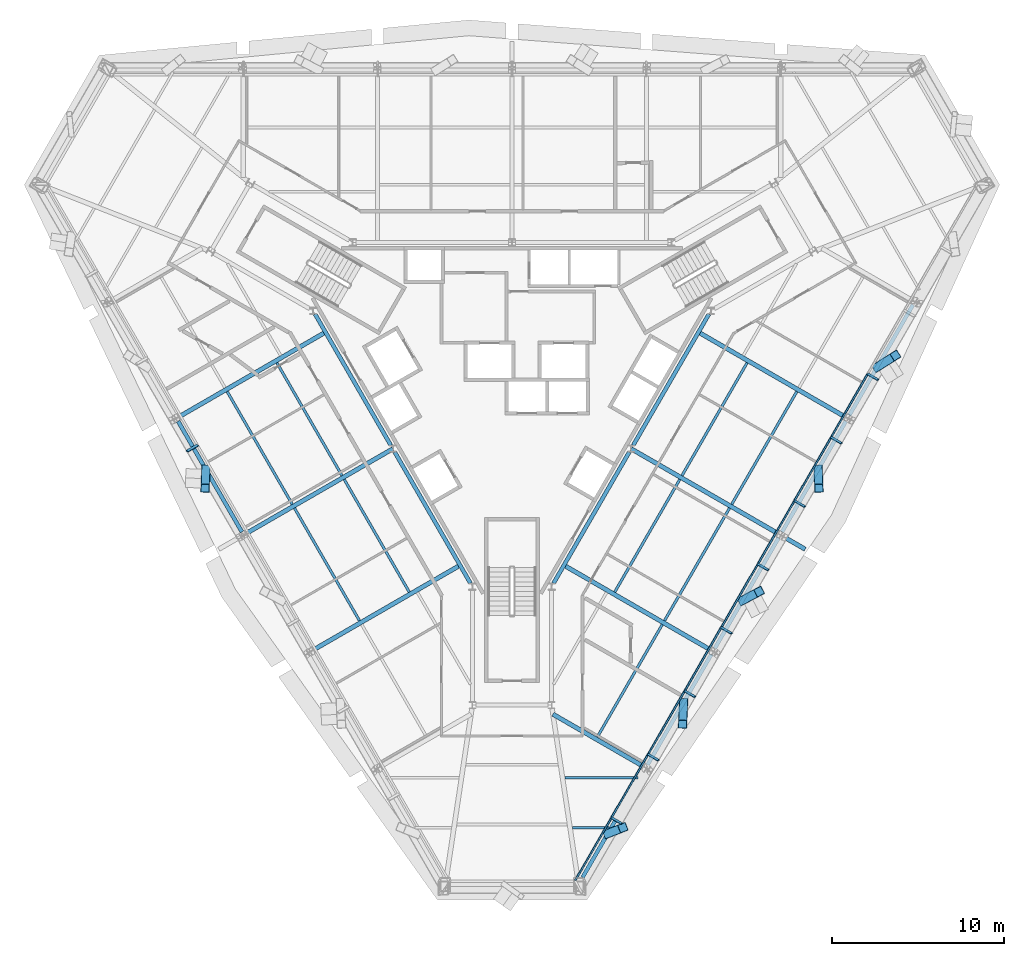
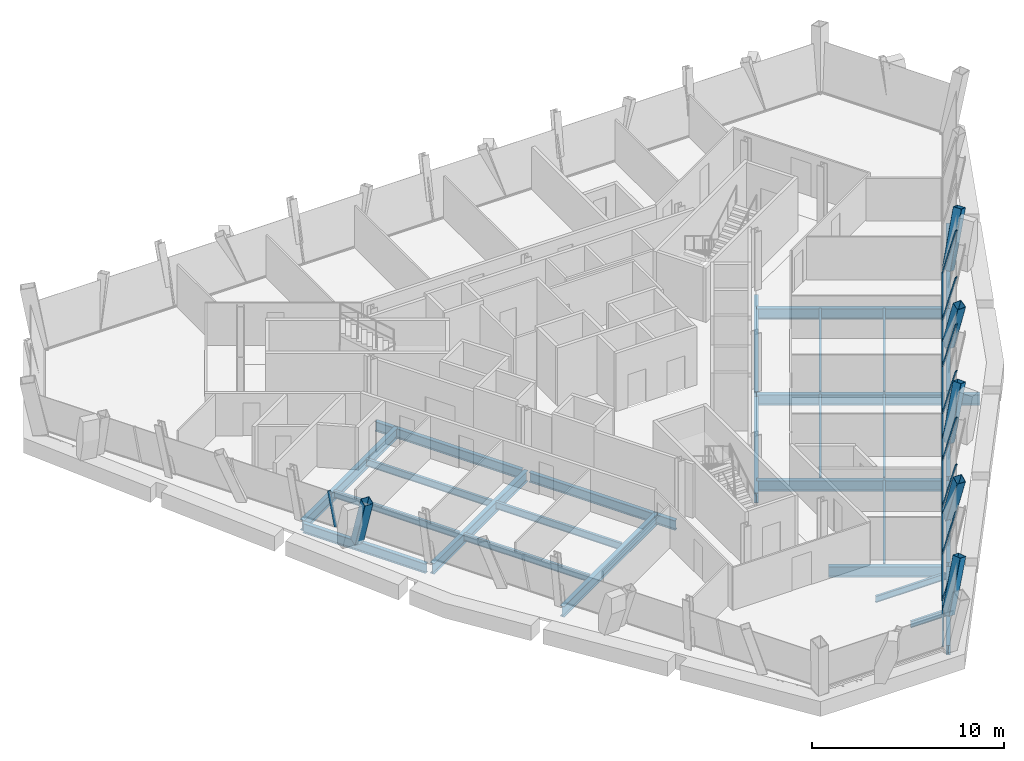
# One storey, part 3 of 12: 29 beams, 23 members, 2 elements without a shape of their own.
"""IFC4 building model written with IfcOpenShell, lengths in metres."""

from ifc_helpers import new_model, si_unit, direction, frame, origin, origin_2d, place, context, subcontext, project, spatial, rectangle, hollow_rectangle, i_section, extrude, material, material_profile, profile_set, type_object, element, aggregate, save


model = new_model("IFC4")

# Units and contexts
model_context = context("Model", 3, precision=1e-05, world=origin(), true_north=direction((0.0, 1.0)))
body_context = subcontext(model_context, "Body", "Model", "MODEL_VIEW")
ifc_project = project(units=[si_unit("LENGTHUNIT", "METRE"), si_unit("AREAUNIT", "SQUARE_METRE"), si_unit("VOLUMEUNIT", "CUBIC_METRE"), si_unit("PLANEANGLEUNIT", "RADIAN"), si_unit("MASSUNIT", "GRAM", prefix="KILO")], contexts=[model_context])

# Site, building, storey
site_placement = place(None, origin())
site = spatial("IfcSite", under=ifc_project, at=site_placement, CompositionType="ELEMENT")
building_placement = place(site_placement, origin())
building = spatial("IfcBuilding", under=site, at=building_placement, Name="Verrane Prism Tower", CompositionType="ELEMENT")
storey_placement = place(building_placement, frame((0.0, 0.0, 185.800048828125)))
storey = spatial("IfcBuildingStorey", under=building, at=storey_placement, Name="L46", CompositionType="ELEMENT", Elevation=185.800048828125)

# Beams
ifc_material_1 = material(Name="Steel A992", Category="steel")
ifc_material_profile_1 = material_profile(ifc_material_1, i_section(OverallWidth=0.23046875, OverallDepth=0.6171875, WebThickness=0.01318359375, FlangeThickness=0.022216796875, FilletRadius=0.012939453125, at=origin_2d()), Name="W24x94")
ifc_profile_set_1 = profile_set([ifc_material_profile_1], Name="Steel A992")
beam_type_1 = type_object("IfcBeamType", Name="Core ring girder W24x94", PredefinedType="BEAM", material=ifc_profile_set_1)
beam_1_placement = place(storey_placement, frame((-11.44482421875, 3.820556640625, -0.55859375), z_axis=(0.499967414725, -0.866044216084, 0.0), x_axis=(0.866044216084, 0.499967414725, 0.0)))
element("IfcBeam", 1, at=beam_1_placement, inside=storey, type_object=beam_type_1, Name="Core ring girder L46", PredefinedType="BEAM", context=body_context, shape_type="SweptSolid", body=[
    extrude(i_section(OverallWidth=0.23046875, OverallDepth=0.6171875, WebThickness=0.01318359375, FlangeThickness=0.022216796875, FilletRadius=0.012939453125, at=origin_2d()), origin(), (0.0, 0.0, 1.0), 8.7998046875),
])
for number, where, z_axis, x_axis, name in (
    (2, (-6.81494140625, -4.199462890625, -0.55859375), (0.499988222896, -0.866032203192, 0.0), (0.866032203192, 0.499988222896, 0.0), "Core ring girder L46"),
    (3, (2.4150390625, -11.820556640625, -0.55859375), (0.499988222896, 0.866032203192, 0.0), (-0.866032203192, 0.499988222896, 0.0), "Core ring girder L46"),
):
    element("IfcBeam", number, at=place(storey_placement, frame(where, z_axis=z_axis, x_axis=x_axis)), inside=storey, type_object=beam_type_1, Name=name, PredefinedType="BEAM", context=body_context, shape_type="SweptSolid", body=[
        extrude(i_section(OverallWidth=0.23046875, OverallDepth=0.6171875, WebThickness=0.01318359375, FlangeThickness=0.022216796875, FilletRadius=0.012939453125, at=origin_2d()), origin(), (0.0, 0.0, 1.0), 8.800048828125),
    ])
beam_2_placement = place(storey_placement, frame((7.045166015625, -3.800537109375, -0.55859375), z_axis=(0.499967414725, 0.866044216084, 0.0), x_axis=(-0.866044216084, 0.499967414725, 0.0)))
element("IfcBeam", 4, at=beam_2_placement, inside=storey, type_object=beam_type_1, Name="Core ring girder L46", PredefinedType="BEAM", context=body_context, shape_type="SweptSolid", body=[
    extrude(i_section(OverallWidth=0.23046875, OverallDepth=0.6171875, WebThickness=0.01318359375, FlangeThickness=0.022216796875, FilletRadius=0.012939453125, at=origin_2d()), origin(), (0.0, 0.0, 1.0), 8.7998046875),
])

# Members
ifc_material_2 = material(Name="Steel A500 Grade C", Category="steel")
ifc_material_profile_2 = material_profile(ifc_material_2, hollow_rectangle(XDim=0.508056640625, YDim=0.508056640625, WallThickness=0.01904296875, InnerFilletRadius=0.009521484375, OuterFilletRadius=0.028564453125, at=origin_2d()), Name="HSS20x20x3/4")
ifc_profile_set_2 = profile_set([ifc_material_profile_2], Name="Steel A500 Grade C")
member_type_1 = type_object("IfcMemberType", Name="Facade brace HSS20x20x3/4", PredefinedType="BRACE", material=ifc_profile_set_2)
member_1_placement = place(storey_placement, frame((-17.797607421875, -5.19921875, -0.216796875), z_axis=(-0.012066820194, -0.323997735031, 0.945980898087), x_axis=(0.999307180306, -0.037217729507, 0.0)))
element("IfcMember", 5, at=member_1_placement, inside=storey, type_object=member_type_1, Name="Facade brace SW2 L46", PredefinedType="BRACE", context=body_context, shape_type="SweptSolid", body=[
    extrude(hollow_rectangle(XDim=0.508056640625, YDim=0.508056640625, WallThickness=0.01904296875, InnerFilletRadius=0.009521484375, OuterFilletRadius=0.028564453125, at=origin_2d()), origin(), (0.0, 0.0, 1.0), 3.37890625),
])
member_2_placement = place(storey_placement, frame((5.574462890625, -26.36865234375, -0.216796875), z_axis=(0.261841301182, 0.102112243154, 0.959693817211), x_axis=(-0.363327165251, 0.931661618288, 0.0)))
element("IfcMember", 6, at=member_2_placement, inside=storey, type_object=member_type_1, Name="Facade brace SE0 L46", PredefinedType="BRACE", context=body_context, shape_type="SweptSolid", body=[
    extrude(hollow_rectangle(XDim=0.508056640625, YDim=0.508056640625, WallThickness=0.01904296875, InnerFilletRadius=0.009521484375, OuterFilletRadius=0.028564453125, at=origin_2d()), origin(), (0.0, 0.0, 1.0), 3.33056640625),
])
member_3_placement = place(storey_placement, frame((9.970458984375, -18.757568359375, -0.216796875), z_axis=(-0.015495351947, -0.365775601467, 0.930574071979), x_axis=(0.999103894049, -0.042325038652, 0.0)))
element("IfcMember", 7, at=member_3_placement, inside=storey, type_object=member_type_1, Name="Facade brace SE1 L46", PredefinedType="BRACE", context=body_context, shape_type="SweptSolid", body=[
    extrude(hollow_rectangle(XDim=0.508056640625, YDim=0.508056640625, WallThickness=0.01904296875, InnerFilletRadius=0.009521484375, OuterFilletRadius=0.028564453125, at=origin_2d()), origin(), (0.0, 0.0, 1.0), 3.434814453125),
])
member_4_placement = place(storey_placement, frame((13.402099609375, -12.8154296875, -0.216796875), z_axis=(0.285812757078, 0.150785384741, 0.946348157731), x_axis=(-0.466612817887, 0.884461688364, 0.0)))
element("IfcMember", 8, at=member_4_placement, inside=storey, type_object=member_type_1, Name="Facade brace SE2 L46", PredefinedType="BRACE", context=body_context, shape_type="SweptSolid", body=[
    extrude(hollow_rectangle(XDim=0.508056640625, YDim=0.508056640625, WallThickness=0.01904296875, InnerFilletRadius=0.009521484375, OuterFilletRadius=0.028564453125, at=origin_2d()), origin(), (0.0, 0.0, 1.0), 3.37744140625),
])
member_5_placement = place(storey_placement, frame((17.797607421875, -5.19921875, -0.216796875), z_axis=(0.012066820194, -0.323997735031, 0.945980898087), x_axis=(0.999307180306, 0.037217729507, 0.0)))
element("IfcMember", 9, at=member_5_placement, inside=storey, type_object=member_type_1, Name="Facade brace SE3 L46", PredefinedType="BRACE", context=body_context, shape_type="SweptSolid", body=[
    extrude(hollow_rectangle(XDim=0.508056640625, YDim=0.508056640625, WallThickness=0.01904296875, InnerFilletRadius=0.009521484375, OuterFilletRadius=0.028564453125, at=origin_2d()), origin(), (0.0, 0.0, 1.0), 3.37890625),
])
member_6_placement = place(storey_placement, frame((21.225341796875, 0.74755859375, -0.216796875), z_axis=(0.31057532923, 0.195468481059, 0.930233861879), x_axis=(-0.532659198661, 0.846329828189, 0.0)))
element("IfcMember", 10, at=member_6_placement, inside=storey, type_object=member_type_1, Name="Facade brace SE4 L46", PredefinedType="BRACE", context=body_context, shape_type="SweptSolid", body=[
    extrude(hollow_rectangle(XDim=0.508056640625, YDim=0.508056640625, WallThickness=0.01904296875, InnerFilletRadius=0.009521484375, OuterFilletRadius=0.028564453125, at=origin_2d()), origin(), (0.0, 0.0, 1.0), 3.43603515625),
])

# Beams
ifc_material_3 = material(Name="Steel A992", Category="steel")
ifc_material_profile_3 = material_profile(ifc_material_3, i_section(OverallWidth=0.140380859375, OverallDepth=0.40380859375, WebThickness=0.007080078125, FlangeThickness=0.01123046875, FilletRadius=0.01025390625, at=origin_2d()), Name="W16x31")
ifc_profile_set_3 = profile_set([ifc_material_profile_3], Name="Steel A992")
beam_type_2 = type_object("IfcBeamType", Name="Floor beam W16x31", PredefinedType="BEAM", material=ifc_profile_set_3)
beam_3_placement = place(storey_placement, frame((3.50830078125, -26.023193359375, -0.362060546875), z_axis=(1.0, 0.0, 0.0), x_axis=(0.0, 1.0, 0.0)))
element("IfcBeam", 11, at=beam_3_placement, inside=storey, type_object=beam_type_2, Name="Floor beam L46", PredefinedType="BEAM", context=body_context, shape_type="SweptSolid", body=[
    extrude(i_section(OverallWidth=0.140380859375, OverallDepth=0.40380859375, WebThickness=0.007080078125, FlangeThickness=0.01123046875, FilletRadius=0.01025390625, at=origin_2d()), origin(), (0.0, 0.0, 1.0), 2.1328125),
])
beam_4_placement = place(storey_placement, frame((3.072021484375, -23.126708984375, -0.362060546875), z_axis=(1.0, 0.0, 0.0), x_axis=(0.0, 1.0, 0.0)))
element("IfcBeam", 12, at=beam_4_placement, inside=storey, type_object=beam_type_2, Name="Floor beam L46", PredefinedType="BEAM", context=body_context, shape_type="SweptSolid", body=[
    extrude(i_section(OverallWidth=0.140380859375, OverallDepth=0.40380859375, WebThickness=0.007080078125, FlangeThickness=0.01123046875, FilletRadius=0.01025390625, at=origin_2d()), origin(), (0.0, 0.0, 1.0), 4.2421875),
])
ifc_material_4 = material(Name="Steel A992", Category="steel")
ifc_material_profile_4 = material_profile(ifc_material_4, i_section(OverallWidth=0.15234375, OverallDepth=0.449462890625, WebThickness=0.007568359375, FlangeThickness=0.0107421875, FilletRadius=0.01025390625, at=origin_2d()), Name="W18x35")
ifc_profile_set_4 = profile_set([ifc_material_profile_4], Name="Steel A992")
beam_type_3 = type_object("IfcBeamType", Name="Floor beam W18x35", PredefinedType="BEAM", material=ifc_profile_set_4)
beam_5_placement = place(storey_placement, frame((-9.883544921875, -5.56005859375, -0.384765625), z_axis=(-0.499994291072, 0.86602869981, 0.0), x_axis=(-0.86602869981, -0.499994291072, 0.0)))
element("IfcBeam", 13, at=beam_5_placement, inside=storey, type_object=beam_type_3, Name="Floor beam L46", PredefinedType="BEAM", context=body_context, shape_type="SweptSolid", body=[
    extrude(i_section(OverallWidth=0.15234375, OverallDepth=0.449462890625, WebThickness=0.007568359375, FlangeThickness=0.0107421875, FilletRadius=0.01025390625, at=origin_2d()), origin(), (0.0, 0.0, 1.0), 7.56689453125),
])
beam_6_placement = place(storey_placement, frame((-12.7734375, -7.22998046875, -0.384765625), z_axis=(-0.499999771941, 0.866025535455, 0.0), x_axis=(-0.866025535455, -0.499999771941, 0.0)))
element("IfcBeam", 14, at=beam_6_placement, inside=storey, type_object=beam_type_3, Name="Floor beam L46", PredefinedType="BEAM", context=body_context, shape_type="SweptSolid", body=[
    extrude(i_section(OverallWidth=0.15234375, OverallDepth=0.449462890625, WebThickness=0.007568359375, FlangeThickness=0.0107421875, FilletRadius=0.01025390625, at=origin_2d()), origin(), (0.0, 0.0, 1.0), 7.56982421875),
])
beam_7_placement = place(storey_placement, frame((-5.973876953125, -12.330078125, -0.384765625), z_axis=(-0.500002782129, 0.866023797515, 0.0), x_axis=(-0.866023797515, -0.500002782129, 0.0)))
element("IfcBeam", 15, at=beam_7_placement, inside=storey, type_object=beam_type_3, Name="Floor beam L46", PredefinedType="BEAM", context=body_context, shape_type="SweptSolid", body=[
    extrude(i_section(OverallWidth=0.15234375, OverallDepth=0.449462890625, WebThickness=0.007568359375, FlangeThickness=0.0107421875, FilletRadius=0.01025390625, at=origin_2d()), origin(), (0.0, 0.0, 1.0), 7.56396484375),
])
for number, where, z_axis, x_axis, name in (
    (16, (-8.8642578125, -14.00048828125, -0.384765625), (-0.499988806058, 0.866031866513, 0.0), (-0.866031866513, -0.499988806058, 0.0), "Floor beam L46"),
    (17, (4.954345703125, -20.770751953125, -0.384765625), (0.500013012896, 0.866017890655, 0.0), (-0.866017890655, 0.500013012896, 0.0), "Floor beam L46"),
    (18, (8.8642578125, -14.00048828125, -0.384765625), (0.499988806058, 0.866031866513, 0.0), (-0.866031866513, 0.499988806058, 0.0), "Floor beam L46"),
):
    element("IfcBeam", number, at=place(storey_placement, frame(where, z_axis=z_axis, x_axis=x_axis)), inside=storey, type_object=beam_type_3, Name=name, PredefinedType="BEAM", context=body_context, shape_type="SweptSolid", body=[
        extrude(i_section(OverallWidth=0.15234375, OverallDepth=0.449462890625, WebThickness=0.007568359375, FlangeThickness=0.0107421875, FilletRadius=0.01025390625, at=origin_2d()), origin(), (0.0, 0.0, 1.0), 7.564208984375),
    ])
beam_8_placement = place(storey_placement, frame((5.973876953125, -12.330078125, -0.384765625), z_axis=(0.500002782129, 0.866023797515, 0.0), x_axis=(-0.866023797515, 0.500002782129, 0.0)))
element("IfcBeam", 19, at=beam_8_placement, inside=storey, type_object=beam_type_3, Name="Floor beam L46", PredefinedType="BEAM", context=body_context, shape_type="SweptSolid", body=[
    extrude(i_section(OverallWidth=0.15234375, OverallDepth=0.449462890625, WebThickness=0.007568359375, FlangeThickness=0.0107421875, FilletRadius=0.01025390625, at=origin_2d()), origin(), (0.0, 0.0, 1.0), 7.56396484375),
])
beam_9_placement = place(storey_placement, frame((12.7734375, -7.22998046875, -0.384765625), z_axis=(0.499999771941, 0.866025535455, 0.0), x_axis=(-0.866025535455, 0.499999771941, 0.0)))
element("IfcBeam", 20, at=beam_9_placement, inside=storey, type_object=beam_type_3, Name="Floor beam L46", PredefinedType="BEAM", context=body_context, shape_type="SweptSolid", body=[
    extrude(i_section(OverallWidth=0.15234375, OverallDepth=0.449462890625, WebThickness=0.007568359375, FlangeThickness=0.0107421875, FilletRadius=0.01025390625, at=origin_2d()), origin(), (0.0, 0.0, 1.0), 7.56982421875),
])
beam_10_placement = place(storey_placement, frame((9.883544921875, -5.56005859375, -0.384765625), z_axis=(0.499994291072, 0.86602869981, 0.0), x_axis=(-0.86602869981, 0.499994291072, 0.0)))
element("IfcBeam", 21, at=beam_10_placement, inside=storey, type_object=beam_type_3, Name="Floor beam L46", PredefinedType="BEAM", context=body_context, shape_type="SweptSolid", body=[
    extrude(i_section(OverallWidth=0.15234375, OverallDepth=0.449462890625, WebThickness=0.007568359375, FlangeThickness=0.0107421875, FilletRadius=0.01025390625, at=origin_2d()), origin(), (0.0, 0.0, 1.0), 7.56689453125),
])

# Curtain wall, members
ifc_material_5 = material(Name="Aluminium framed insulated glazing", Category="aluminium")
curtain_wall_type_1 = type_object("IfcCurtainWallType", Name="Curtain wall CW-C 4200 module", PredefinedType="NOTDEFINED", material=ifc_material_5)
curtain_wall_1_placement = place(storey_placement, origin())
curtain_wall_1 = element("IfcCurtainWall", 22, at=curtain_wall_1_placement, inside=storey, type_object=curtain_wall_type_1, Name="Glazed curtain wall south-east face L46", PredefinedType="NOTDEFINED")
ifc_material_6 = material(Name="Aluminium alloy 6063-T6", Category="aluminium")
ifc_material_profile_5 = material_profile(ifc_material_6, rectangle(XDim=0.139892578125, YDim=0.050048828125, at=origin_2d()), Name="Mullion 50x140 aluminium")
ifc_profile_set_5 = profile_set([ifc_material_profile_5], Name="Aluminium alloy 6063-T6")
member_type_2 = type_object("IfcMemberType", Name="Mullion 50x140 aluminium", PredefinedType="MULLION", material=ifc_profile_set_5)
member_7_placement = place(storey_placement, frame((5.779296875, -25.451904296875, 0.0), z_axis=(0.216364904862, -0.124956614407, 0.968283053895), x_axis=(-0.852358631448, -0.507816716186, 0.124927763758)))
member_7 = element("IfcMember", 23, at=member_7_placement, type_object=member_type_2, Name="CW44.6 mullion 2", PredefinedType="MULLION", context=body_context, shape_type="SweptSolid", body=[
    extrude(rectangle(XDim=0.139892578125, YDim=0.050048828125, at=origin_2d()), origin(), (0.0, 0.0, 1.0), 2.8017578125),
])
member_8_placement = place(storey_placement, frame((7.907470703125, -21.76611328125, 0.0), z_axis=(0.216367259975, -0.124870835096, 0.968293593572), x_axis=(-0.852209765519, -0.50807152263, 0.12490733944)))
member_8 = element("IfcMember", 24, at=member_8_placement, type_object=member_type_2, Name="CW44.6 mullion 3", PredefinedType="MULLION", context=body_context, shape_type="SweptSolid", body=[
    extrude(rectangle(XDim=0.139892578125, YDim=0.050048828125, at=origin_2d()), origin(), (0.0, 0.0, 1.0), 2.8017578125),
])
member_9_placement = place(storey_placement, frame((10.035400390625, -18.080078125, 0.0), z_axis=(0.216364904862, -0.124956614407, 0.968283053895), x_axis=(-0.852358631448, -0.507816716186, 0.124927763758)))
member_9 = element("IfcMember", 25, at=member_9_placement, type_object=member_type_2, Name="CW44.6 mullion 4", PredefinedType="MULLION", context=body_context, shape_type="SweptSolid", body=[
    extrude(rectangle(XDim=0.139892578125, YDim=0.050048828125, at=origin_2d()), origin(), (0.0, 0.0, 1.0), 2.8017578125),
])
member_10_placement = place(storey_placement, frame((12.163330078125, -14.394287109375, 0.0), z_axis=(0.216447961734, -0.124954258103, 0.968264795004), x_axis=(-0.852262166522, -0.507969894357, 0.124963138331)))
member_10 = element("IfcMember", 26, at=member_10_placement, type_object=member_type_2, Name="CW44.6 mullion 5", PredefinedType="MULLION", context=body_context, shape_type="SweptSolid", body=[
    extrude(rectangle(XDim=0.139892578125, YDim=0.050048828125, at=origin_2d()), origin(), (0.0, 0.0, 1.0), 2.8017578125),
])
member_11_placement = place(storey_placement, frame((14.29150390625, -10.70849609375, 0.0), z_axis=(0.216367259975, -0.124870835096, 0.968293593572), x_axis=(-0.852209765519, -0.50807152263, 0.12490733944)))
member_11 = element("IfcMember", 27, at=member_11_placement, type_object=member_type_2, Name="CW44.6 mullion 6", PredefinedType="MULLION", context=body_context, shape_type="SweptSolid", body=[
    extrude(rectangle(XDim=0.139892578125, YDim=0.050048828125, at=origin_2d()), origin(), (0.0, 0.0, 1.0), 2.8017578125),
])
member_12_placement = place(storey_placement, frame((16.41943359375, -7.0224609375, 0.0), z_axis=(0.216447961734, -0.124954258103, 0.968264795004), x_axis=(-0.852262166522, -0.507969894357, 0.124963138331)))
member_12 = element("IfcMember", 28, at=member_12_placement, type_object=member_type_2, Name="CW44.6 mullion 7", PredefinedType="MULLION", context=body_context, shape_type="SweptSolid", body=[
    extrude(rectangle(XDim=0.139892578125, YDim=0.050048828125, at=origin_2d()), origin(), (0.0, 0.0, 1.0), 2.8017578125),
])
member_13_placement = place(storey_placement, frame((18.547607421875, -3.336669921875, 0.0), z_axis=(0.216364904862, -0.124956614407, 0.968283053895), x_axis=(-0.852358631448, -0.507816716186, 0.124927763758)))
member_13 = element("IfcMember", 29, at=member_13_placement, type_object=member_type_2, Name="CW44.6 mullion 8", PredefinedType="MULLION", context=body_context, shape_type="SweptSolid", body=[
    extrude(rectangle(XDim=0.139892578125, YDim=0.050048828125, at=origin_2d()), origin(), (0.0, 0.0, 1.0), 2.8017578125),
])
member_14_placement = place(storey_placement, frame((20.675537109375, 0.34912109375, 0.0), z_axis=(0.216367259975, -0.124870835096, 0.968293593572), x_axis=(-0.852209765519, -0.50807152263, 0.12490733944)))
member_14 = element("IfcMember", 30, at=member_14_placement, type_object=member_type_2, Name="CW44.6 mullion 9", PredefinedType="MULLION", context=body_context, shape_type="SweptSolid", body=[
    extrude(rectangle(XDim=0.139892578125, YDim=0.050048828125, at=origin_2d()), origin(), (0.0, 0.0, 1.0), 2.8017578125),
])

# Curtain wall, member
ifc_material_7 = material(Name="Aluminium framed insulated glazing", Category="aluminium")
curtain_wall_type_2 = type_object("IfcCurtainWallType", Name="Curtain wall CW-B 5600 module", PredefinedType="NOTDEFINED", material=ifc_material_7)
curtain_wall_2_placement = place(storey_placement, origin())
curtain_wall_2 = element("IfcCurtainWall", 31, at=curtain_wall_2_placement, inside=storey, type_object=curtain_wall_type_2, Name="Glazed curtain wall south-west face L46", PredefinedType="NOTDEFINED")
ifc_material_8 = material(Name="Aluminium alloy 6063-T6", Category="aluminium")
ifc_material_profile_6 = material_profile(ifc_material_8, rectangle(XDim=0.159912109375, YDim=0.06005859375, at=origin_2d()), Name="Mullion 60x160 aluminium")
ifc_profile_set_6 = profile_set([ifc_material_profile_6], Name="Aluminium alloy 6063-T6")
member_type_3 = type_object("IfcMemberType", Name="Mullion 60x160 aluminium", PredefinedType="MULLION", material=ifc_profile_set_6)
member_15_placement = place(storey_placement, frame((-18.281494140625, -3.79736328125, 0.0), z_axis=(-0.216364904862, -0.124956614407, 0.968283053895), x_axis=(0.852358631448, -0.507816716186, 0.124927763758)))
member_15 = element("IfcMember", 32, at=member_15_placement, type_object=member_type_3, Name="CW44.4 mullion 4", PredefinedType="MULLION", context=body_context, shape_type="SweptSolid", body=[
    extrude(rectangle(XDim=0.159912109375, YDim=0.06005859375, at=origin_2d()), origin(), (0.0, 0.0, 1.0), 2.8017578125),
])
aggregate(curtain_wall_2, [member_15])

# Beams
ifc_material_9 = material(Name="Steel A992", Category="steel")
ifc_material_profile_7 = material_profile(ifc_material_9, i_section(OverallWidth=0.25390625, OverallDepth=0.683349609375, WebThickness=0.012451171875, FlangeThickness=0.01904296875, FilletRadius=0.01513671875, at=origin_2d()), Name="W27x94")
ifc_profile_set_7 = profile_set([ifc_material_profile_7], Name="Steel A992")
beam_type_4 = type_object("IfcBeamType", Name="Radial girder W27x94", PredefinedType="BEAM", material=ifc_profile_set_7)
beam_11_placement = place(storey_placement, frame((-19.32958984375, -2.1259765625, -0.561767578125), z_axis=(0.866018006425, 0.500012812384, 0.0), x_axis=(-0.500012812384, 0.866018006425, 0.0)))
element("IfcBeam", 33, at=beam_11_placement, inside=storey, type_object=beam_type_4, Name="Radial girder L46", PredefinedType="BEAM", context=body_context, shape_type="SweptSolid", body=[
    extrude(i_section(OverallWidth=0.25390625, OverallDepth=0.683349609375, WebThickness=0.012451171875, FlangeThickness=0.01904296875, FilletRadius=0.01513671875, at=origin_2d()), origin(), (0.0, 0.0, 1.0), 9.801513671875),
])
beam_12_placement = place(storey_placement, frame((-15.419677734375, -8.906005859375, -0.561767578125), z_axis=(0.866029684684, 0.499992585192, 0.0), x_axis=(-0.499992585192, 0.866029684684, 0.0)))
element("IfcBeam", 34, at=beam_12_placement, inside=storey, type_object=beam_type_4, Name="Radial girder L46", PredefinedType="BEAM", context=body_context, shape_type="SweptSolid", body=[
    extrude(i_section(OverallWidth=0.25390625, OverallDepth=0.683349609375, WebThickness=0.012451171875, FlangeThickness=0.01904296875, FilletRadius=0.01513671875, at=origin_2d()), origin(), (0.0, 0.0, 1.0), 9.805419921875),
])
beam_13_placement = place(storey_placement, frame((-11.509521484375, -15.67578125, -0.561767578125), z_axis=(0.866024680886, 0.500001252094, 0.0), x_axis=(-0.500001252094, 0.866024680886, 0.0)))
element("IfcBeam", 35, at=beam_13_placement, inside=storey, type_object=beam_type_4, Name="Radial girder L46", PredefinedType="BEAM", context=body_context, shape_type="SweptSolid", body=[
    extrude(i_section(OverallWidth=0.25390625, OverallDepth=0.683349609375, WebThickness=0.012451171875, FlangeThickness=0.01904296875, FilletRadius=0.01513671875, at=origin_2d()), origin(), (0.0, 0.0, 1.0), 9.8037109375),
])
beam_14_placement = place(storey_placement, frame((7.599609375, -22.44580078125, -0.561767578125), z_axis=(-0.866028410322, 0.499994792488, 0.0), x_axis=(-0.499994792488, -0.866028410322, 0.0)))
element("IfcBeam", 36, at=beam_14_placement, inside=storey, type_object=beam_type_4, Name="Radial girder L46", PredefinedType="BEAM", context=body_context, shape_type="SweptSolid", body=[
    extrude(i_section(OverallWidth=0.25390625, OverallDepth=0.683349609375, WebThickness=0.012451171875, FlangeThickness=0.01904296875, FilletRadius=0.01513671875, at=origin_2d()), origin(), (0.0, 0.0, 1.0), 6.02685546875),
])
beam_15_placement = place(storey_placement, frame((11.509521484375, -15.67578125, -0.561767578125), z_axis=(-0.866024680886, 0.500001252094, 0.0), x_axis=(-0.500001252094, -0.866024680886, 0.0)))
element("IfcBeam", 37, at=beam_15_placement, inside=storey, type_object=beam_type_4, Name="Radial girder L46", PredefinedType="BEAM", context=body_context, shape_type="SweptSolid", body=[
    extrude(i_section(OverallWidth=0.25390625, OverallDepth=0.683349609375, WebThickness=0.012451171875, FlangeThickness=0.01904296875, FilletRadius=0.01513671875, at=origin_2d()), origin(), (0.0, 0.0, 1.0), 9.8037109375),
])
beam_16_placement = place(storey_placement, frame((15.419677734375, -8.906005859375, -0.561767578125), z_axis=(-0.866029684684, 0.499992585192, 0.0), x_axis=(-0.499992585192, -0.866029684684, 0.0)))
element("IfcBeam", 38, at=beam_16_placement, inside=storey, type_object=beam_type_4, Name="Radial girder L46", PredefinedType="BEAM", context=body_context, shape_type="SweptSolid", body=[
    extrude(i_section(OverallWidth=0.25390625, OverallDepth=0.683349609375, WebThickness=0.012451171875, FlangeThickness=0.01904296875, FilletRadius=0.01513671875, at=origin_2d()), origin(), (0.0, 0.0, 1.0), 9.805419921875),
])
beam_17_placement = place(storey_placement, frame((19.32958984375, -2.1259765625, -0.561767578125), z_axis=(-0.866018006425, 0.500012812384, 0.0), x_axis=(-0.500012812384, -0.866018006425, 0.0)))
element("IfcBeam", 39, at=beam_17_placement, inside=storey, type_object=beam_type_4, Name="Radial girder L46", PredefinedType="BEAM", context=body_context, shape_type="SweptSolid", body=[
    extrude(i_section(OverallWidth=0.25390625, OverallDepth=0.683349609375, WebThickness=0.012451171875, FlangeThickness=0.01904296875, FilletRadius=0.01513671875, at=origin_2d()), origin(), (0.0, 0.0, 1.0), 9.801513671875),
])
beam_18_placement = place(storey_placement, frame((15.77685546875, -9.112060546875, -0.561767578125), z_axis=(0.865974312977, -0.500088481434, 0.0), x_axis=(0.500088481434, 0.865974312977, 0.0)))
element("IfcBeam", 40, at=beam_18_placement, inside=storey, type_object=beam_type_4, Name="Cantilever girder L46", PredefinedType="BEAM", context=body_context, shape_type="SweptSolid", body=[
    extrude(i_section(OverallWidth=0.25390625, OverallDepth=0.683349609375, WebThickness=0.012451171875, FlangeThickness=0.01904296875, FilletRadius=0.01513671875, at=origin_2d()), origin(), (0.0, 0.0, 1.0), 1.462646484375),
])
ifc_material_10 = material(Name="Steel A992", Category="steel")
ifc_material_profile_8 = material_profile(ifc_material_10, i_section(OverallWidth=0.23046875, OverallDepth=0.6171875, WebThickness=0.01318359375, FlangeThickness=0.022216796875, FilletRadius=0.012939453125, at=origin_2d()), Name="W24x94")
ifc_profile_set_8 = profile_set([ifc_material_profile_8], Name="Steel A992")
beam_type_5 = type_object("IfcBeamType", Name="Spandrel beam W24x94", PredefinedType="SPANDREL", material=ifc_profile_set_8)
beam_19_placement = place(storey_placement, frame((-19.408447265625, -2.406005859375, -0.46875), z_axis=(0.499579081508, -0.86626828484, 0.0), x_axis=(0.86626828484, 0.499579081508, 0.0)))
element("IfcBeam", 41, at=beam_19_placement, inside=storey, type_object=beam_type_5, Name="Spandrel beam L46", PredefinedType="SPANDREL", context=body_context, shape_type="SweptSolid", body=[
    extrude(i_section(OverallWidth=0.23046875, OverallDepth=0.6171875, WebThickness=0.01318359375, FlangeThickness=0.022216796875, FilletRadius=0.012939453125, at=origin_2d()), origin(), (0.0, 0.0, 1.0), 7.42041015625),
])
beam_20_placement = place(storey_placement, frame((4.10107421875, -28.919921875, -0.46875), z_axis=(0.50014395567, 0.865942274985, 0.0), x_axis=(-0.865942274985, 0.50014395567, 0.0)))
element("IfcBeam", 42, at=beam_20_placement, inside=storey, type_object=beam_type_5, Name="Spandrel beam L46", PredefinedType="SPANDREL", context=body_context, shape_type="SweptSolid", body=[
    extrude(i_section(OverallWidth=0.23046875, OverallDepth=0.6171875, WebThickness=0.01318359375, FlangeThickness=0.022216796875, FilletRadius=0.012939453125, at=origin_2d()), origin(), (0.0, 0.0, 1.0), 7.15283203125),
])
for number, where, z_axis, x_axis, name in (
    (43, (7.881591796875, -22.3740234375, -0.46875), (0.50013874289, 0.86594528572, 0.0), (-0.86594528572, 0.50013874289, 0.0), "Spandrel beam L46"),
    (44, (11.79150390625, -15.60400390625, -0.46875), (0.50013874289, 0.86594528572, 0.0), (-0.86594528572, 0.50013874289, 0.0), "Spandrel beam L46"),
):
    element("IfcBeam", number, at=place(storey_placement, frame(where, z_axis=z_axis, x_axis=x_axis)), inside=storey, type_object=beam_type_5, Name=name, PredefinedType="SPANDREL", context=body_context, shape_type="SweptSolid", body=[
        extrude(i_section(OverallWidth=0.23046875, OverallDepth=0.6171875, WebThickness=0.01318359375, FlangeThickness=0.022216796875, FilletRadius=0.012939453125, at=origin_2d()), origin(), (0.0, 0.0, 1.0), 7.41162109375),
    ])
beam_21_placement = place(storey_placement, frame((15.701416015625, -8.833984375, -0.46875), z_axis=(0.499579081508, 0.86626828484, 0.0), x_axis=(-0.86626828484, 0.499579081508, 0.0)))
element("IfcBeam", 45, at=beam_21_placement, inside=storey, type_object=beam_type_5, Name="Spandrel beam L46", PredefinedType="SPANDREL", context=body_context, shape_type="SweptSolid", body=[
    extrude(i_section(OverallWidth=0.23046875, OverallDepth=0.6171875, WebThickness=0.01318359375, FlangeThickness=0.022216796875, FilletRadius=0.012939453125, at=origin_2d()), origin(), (0.0, 0.0, 1.0), 7.42041015625),
])
beam_22_placement = place(storey_placement, frame((19.611328125, -2.053955078125, -0.46875), z_axis=(0.499174476851, 0.866501495475, 0.0), x_axis=(-0.866501495475, 0.499174476851, 0.0)))
element("IfcBeam", 46, at=beam_22_placement, inside=storey, type_object=beam_type_5, Name="Spandrel beam L46", PredefinedType="SPANDREL", context=body_context, shape_type="SweptSolid", body=[
    extrude(i_section(OverallWidth=0.23046875, OverallDepth=0.6171875, WebThickness=0.01318359375, FlangeThickness=0.022216796875, FilletRadius=0.012939453125, at=origin_2d()), origin(), (0.0, 0.0, 1.0), 7.40673828125),
])

# Member
ifc_material_11 = material(Name="Aluminium alloy 6063-T6", Category="aluminium")
ifc_material_profile_9 = material_profile(ifc_material_11, rectangle(XDim=0.10009765625, YDim=0.050048828125, at=origin_2d()), Name="Transom 50x100 aluminium")
ifc_profile_set_9 = profile_set([ifc_material_profile_9], Name="Aluminium alloy 6063-T6")
member_type_4 = type_object("IfcMemberType", Name="Transom 50x100 aluminium", PredefinedType="USERDEFINED", material=ifc_profile_set_9)
member_16_placement = place(storey_placement, frame((3.67626953125, -29.094482421875, 0.02490234375), z_axis=(0.500013933422, 0.86601735917, 0.0), x_axis=(-0.86601735917, 0.500013933422, 0.0)))
member_16 = element("IfcMember", 47, at=member_16_placement, type_object=member_type_4, Name="CW44.6 transom 1", ObjectType="TRANSOM", PredefinedType="USERDEFINED", context=body_context, shape_type="SweptSolid", body=[
    extrude(rectangle(XDim=0.10009765625, YDim=0.050048828125, at=origin_2d()), origin(), (0.0, 0.0, 1.0), 4.18115234375),
])

member_17_placement = place(storey_placement, frame((5.791748046875, -25.43017578125, 0.02490234375), z_axis=(0.499997126074, 0.86602706304, 0.0), x_axis=(-0.86602706304, 0.499997126074, 0.0)))
member_17 = element("IfcMember", 48, at=member_17_placement, type_object=member_type_4, Name="CW44.6 transom 2", ObjectType="TRANSOM", PredefinedType="USERDEFINED", context=body_context, shape_type="SweptSolid", body=[
    extrude(rectangle(XDim=0.10009765625, YDim=0.050048828125, at=origin_2d()), origin(), (0.0, 0.0, 1.0), 4.2060546875),
])

member_18_placement = place(storey_placement, frame((7.919921875, -21.744384765625, 0.02490234375), z_axis=(0.499997126074, 0.86602706304, 0.0), x_axis=(-0.86602706304, 0.499997126074, 0.0)))
member_18 = element("IfcMember", 49, at=member_18_placement, type_object=member_type_4, Name="CW44.6 transom 3", ObjectType="TRANSOM", PredefinedType="USERDEFINED", context=body_context, shape_type="SweptSolid", body=[
    extrude(rectangle(XDim=0.10009765625, YDim=0.050048828125, at=origin_2d()), origin(), (0.0, 0.0, 1.0), 4.2060546875),
])

member_19_placement = place(storey_placement, frame((10.0478515625, -18.05859375, 0.02490234375), z_axis=(0.499997126074, 0.86602706304, 0.0), x_axis=(-0.86602706304, 0.499997126074, 0.0)))
member_19 = element("IfcMember", 50, at=member_19_placement, type_object=member_type_4, Name="CW44.6 transom 4", ObjectType="TRANSOM", PredefinedType="USERDEFINED", context=body_context, shape_type="SweptSolid", body=[
    extrude(rectangle(XDim=0.10009765625, YDim=0.050048828125, at=origin_2d()), origin(), (0.0, 0.0, 1.0), 4.2060546875),
])

member_20_placement = place(storey_placement, frame((12.176025390625, -14.37255859375, 0.02490234375), z_axis=(0.499997126074, 0.86602706304, 0.0), x_axis=(-0.86602706304, 0.499997126074, 0.0)))
member_20 = element("IfcMember", 51, at=member_20_placement, type_object=member_type_4, Name="CW44.6 transom 5", ObjectType="TRANSOM", PredefinedType="USERDEFINED", context=body_context, shape_type="SweptSolid", body=[
    extrude(rectangle(XDim=0.10009765625, YDim=0.050048828125, at=origin_2d()), origin(), (0.0, 0.0, 1.0), 4.2060546875),
])

member_21_placement = place(storey_placement, frame((14.303955078125, -10.686767578125, 0.02490234375), z_axis=(0.499997126074, 0.86602706304, 0.0), x_axis=(-0.86602706304, 0.499997126074, 0.0)))
member_21 = element("IfcMember", 52, at=member_21_placement, type_object=member_type_4, Name="CW44.6 transom 6", ObjectType="TRANSOM", PredefinedType="USERDEFINED", context=body_context, shape_type="SweptSolid", body=[
    extrude(rectangle(XDim=0.10009765625, YDim=0.050048828125, at=origin_2d()), origin(), (0.0, 0.0, 1.0), 4.2060546875),
])

member_22_placement = place(storey_placement, frame((16.43212890625, -7.0009765625, 0.02490234375), z_axis=(0.499997126074, 0.86602706304, 0.0), x_axis=(-0.86602706304, 0.499997126074, 0.0)))
member_22 = element("IfcMember", 53, at=member_22_placement, type_object=member_type_4, Name="CW44.6 transom 7", ObjectType="TRANSOM", PredefinedType="USERDEFINED", context=body_context, shape_type="SweptSolid", body=[
    extrude(rectangle(XDim=0.10009765625, YDim=0.050048828125, at=origin_2d()), origin(), (0.0, 0.0, 1.0), 4.2060546875),
])

member_23_placement = place(storey_placement, frame((18.56005859375, -3.31494140625, 0.02490234375), z_axis=(0.499997126074, 0.86602706304, 0.0), x_axis=(-0.86602706304, 0.499997126074, 0.0)))
member_23 = element("IfcMember", 54, at=member_23_placement, type_object=member_type_4, Name="CW44.6 transom 8", ObjectType="TRANSOM", PredefinedType="USERDEFINED", context=body_context, shape_type="SweptSolid", body=[
    extrude(rectangle(XDim=0.10009765625, YDim=0.050048828125, at=origin_2d()), origin(), (0.0, 0.0, 1.0), 4.2060546875),
])

aggregate(curtain_wall_1, [member_7, member_8, member_9, member_10, member_11, member_12, member_13, member_14, member_16, member_17, member_18, member_19, member_20, member_21, member_22, member_23])

save(model, "model.ifc")
